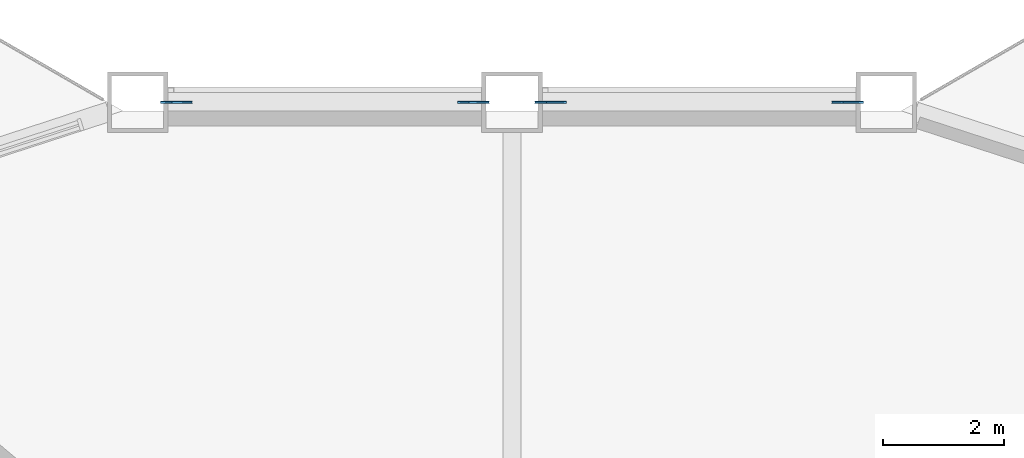
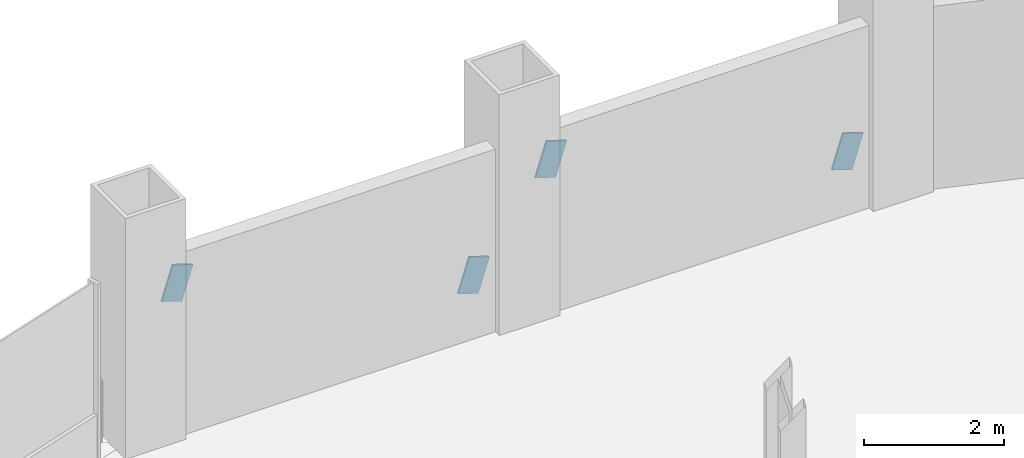
# One storey, part 16 of 21: 4 discrete accessories.
"""IFC4 building model written with IfcOpenShell, lengths in metres."""

from ifc_helpers import new_model, si_unit, direction, frame, origin, origin_2d, place, context, subcontext, project, spatial, rectangle, extrude, material, material_profile, profile_set, type_object, element, save


model = new_model("IFC4")

# Units and contexts
model_context = context("Model", 3, precision=1e-05, world=origin(), true_north=direction((0.0, 1.0)))
body_context = subcontext(model_context, "Body", "Model", "MODEL_VIEW")
ifc_project = project(units=[si_unit("LENGTHUNIT", "METRE"), si_unit("AREAUNIT", "SQUARE_METRE"), si_unit("VOLUMEUNIT", "CUBIC_METRE"), si_unit("PLANEANGLEUNIT", "RADIAN"), si_unit("MASSUNIT", "GRAM", prefix="KILO")], contexts=[model_context])

# Site, building, storey
site_placement = place(None, origin())
site = spatial("IfcSite", under=ifc_project, at=site_placement, CompositionType="ELEMENT")
building_placement = place(site_placement, origin())
building = spatial("IfcBuilding", under=site, at=building_placement, Name="Cormorant Prow Tower", CompositionType="ELEMENT")
storey_placement = place(building_placement, frame((0.0, 0.0, 72.0)))
storey = spatial("IfcBuildingStorey", under=building, at=storey_placement, Name="L15", CompositionType="ELEMENT", Elevation=72.0)

# Discrete accessories
ifc_material = material(Name="Structural steel ASTM A500 Gr C", Category="steel")
ifc_material_profile = material_profile(ifc_material, rectangle(XDim=0.031982421875, YDim=0.60791015625, at=origin_2d()), Name="Gusset plate 32x608")
ifc_profile_set = profile_set([ifc_material_profile], Name="Structural steel ASTM A500 Gr C")
discrete_accessory_type = type_object("IfcDiscreteAccessoryType", Name="Gusset plate 32x608", PredefinedType="BRACKET", material=ifc_profile_set)
for number, where, z_axis, x_axis, name in (
    (1, (5.365478515625, 32.233642578125, 0.859375), (0.951708617761, 0.0, -0.307002779923), (0.0, 1.0, 0.0), "Gusset plate GP1 L15.N00.g0"),
    (2, (0.80419921875, 32.233642578125, 2.32958984375), (-0.951708617761, 0.0, 0.307002779923), (0.0, -1.0, 0.0), "Gusset plate GP1 L15.N00.g1"),
    (3, (-0.80419921875, 32.233642578125, 0.859375), (0.951708617761, 0.0, -0.307002779923), (0.0, 1.0, 0.0), "Gusset plate GP1 L15.N01.g0"),
    (4, (-5.365478515625, 32.233642578125, 2.32958984375), (-0.951708617761, 0.0, 0.307002779923), (0.0, -1.0, 0.0), "Gusset plate GP1 L15.N01.g1"),
):
    element("IfcDiscreteAccessory", number, at=place(storey_placement, frame(where, z_axis=z_axis, x_axis=x_axis)), inside=storey, type_object=discrete_accessory_type, Name=name, PredefinedType="BRACKET", context=body_context, shape_type="SweptSolid", body=[
        extrude(rectangle(XDim=0.031982421875, YDim=0.60791015625, at=origin_2d()), origin(), (0.0, 0.0, 1.0), 0.349853515625),
    ])

save(model, "model.ifc")
